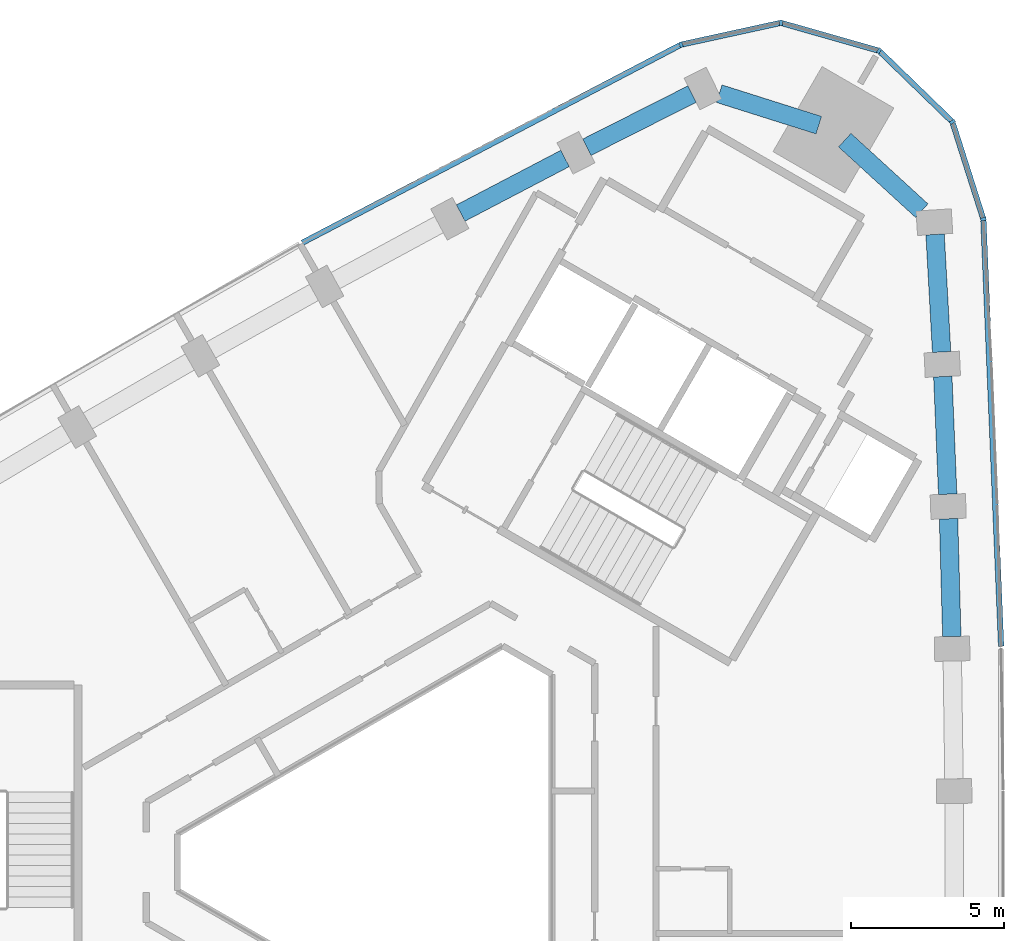
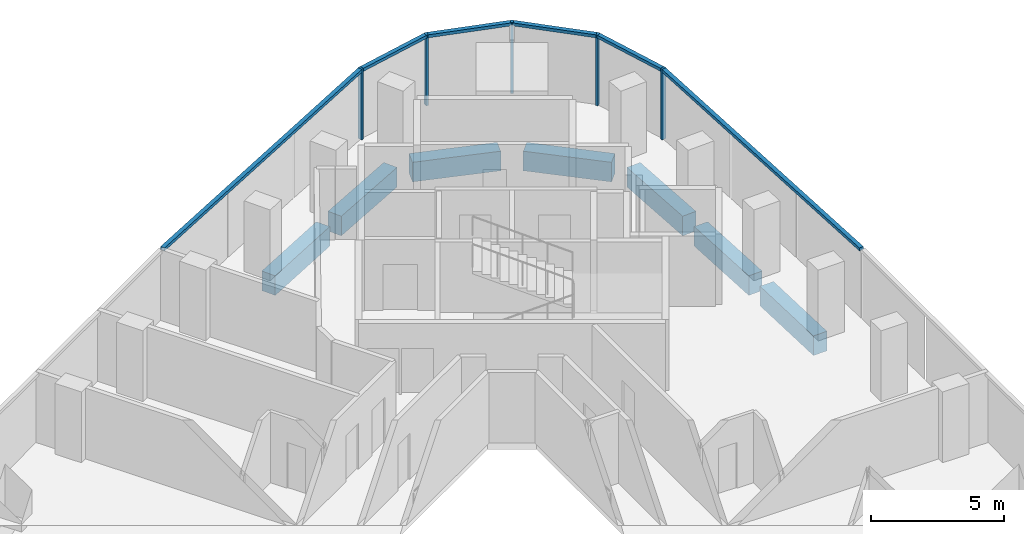
# One storey, part 5 of 12: 11 members, 7 beams, 2 elements without a shape of their own.
"""IFC4 building model written with IfcOpenShell, lengths in metres."""

from ifc_helpers import new_model, si_unit, direction, frame, origin, origin_2d, place, context, subcontext, project, spatial, rectangle, extrude, material, material_profile, profile_set, type_object, element, aggregate, save


model = new_model("IFC4")

# Units and contexts
model_context = context("Model", 3, precision=1e-05, world=origin(), true_north=direction((0.0, 1.0)))
body_context = subcontext(model_context, "Body", "Model", "MODEL_VIEW")
ifc_project = project(units=[si_unit("LENGTHUNIT", "METRE"), si_unit("AREAUNIT", "SQUARE_METRE"), si_unit("VOLUMEUNIT", "CUBIC_METRE"), si_unit("PLANEANGLEUNIT", "RADIAN"), si_unit("MASSUNIT", "GRAM", prefix="KILO")], contexts=[model_context])

# Site, building, storey
site_placement = place(None, origin())
site = spatial("IfcSite", under=ifc_project, at=site_placement, CompositionType="ELEMENT")
building_placement = place(site_placement, origin())
building = spatial("IfcBuilding", under=site, at=building_placement, Name="Tamra Quay Hotel Tower", CompositionType="ELEMENT")
storey_placement = place(building_placement, frame((0.0, 0.0, 179.199951171875)))
storey = spatial("IfcBuildingStorey", under=building, at=storey_placement, Name="L44", CompositionType="ELEMENT", Elevation=179.199951171875)

# Curtain wall, members
ifc_material_1 = material(Name="Aluminium 6063 anodised dark grey", Category="aluminium")
curtain_wall_type_1 = type_object("IfcCurtainWallType", Name="CW1 CURTAIN WALL", PredefinedType="NOTDEFINED", material=ifc_material_1)
curtain_wall_1_placement = place(storey_placement, origin())
curtain_wall_1 = element("IfcCurtainWall", 1, at=curtain_wall_1_placement, inside=storey, type_object=curtain_wall_type_1, Name="CW1 east face L44", PredefinedType="NOTDEFINED")
ifc_material_profile_1 = material_profile(ifc_material_1, rectangle(XDim=0.179931640625, YDim=0.10009765625, at=origin_2d()), Name="MULLION 100X180")
ifc_profile_set_1 = profile_set([ifc_material_profile_1], Name="Aluminium 6063 anodised dark grey")
member_type_1 = type_object("IfcMemberType", Name="MULLION CW1 Z4", PredefinedType="MULLION", material=ifc_profile_set_1)
member_1_placement = place(storey_placement, frame((18.665283203125, 20.955078125, 0.0), z_axis=(0.0, 0.0, 1.0), x_axis=(0.983509429279, 0.180856856435, 0.0)))
member_1 = element("IfcMember", 2, at=member_1_placement, type_object=member_type_1, Name="CW1 mullion L44.E.10", PredefinedType="MULLION", context=body_context, shape_type="SweptSolid", body=[
    extrude(rectangle(XDim=0.179931640625, YDim=0.10009765625, at=origin_2d()), origin(), (0.0, 0.0, 1.0), 3.25),
])
member_2_placement = place(storey_placement, frame((17.65576171875, 24.1259765625, 0.0), z_axis=(0.0, 0.0, 1.0), x_axis=(0.85012217174, 0.526585504089, 0.0)))
member_2 = element("IfcMember", 3, at=member_2_placement, type_object=member_type_1, Name="CW1 mullion L44.E.11", PredefinedType="MULLION", context=body_context, shape_type="SweptSolid", body=[
    extrude(rectangle(XDim=0.179931640625, YDim=0.10009765625, at=origin_2d()), origin(), (0.0, 0.0, 1.0), 3.25),
])
member_3_placement = place(storey_placement, frame((15.2666015625, 26.4423828125, 0.0), z_axis=(0.0, 0.0, 1.0), x_axis=(0.5, 0.866025403784, 0.0)))
member_3 = element("IfcMember", 4, at=member_3_placement, type_object=member_type_1, Name="CW1 mullion L44.E.12", PredefinedType="MULLION", context=body_context, shape_type="SweptSolid", body=[
    extrude(rectangle(XDim=0.179931640625, YDim=0.10009765625, at=origin_2d()), origin(), (0.0, 0.0, 1.0), 3.25),
])
member_4_placement = place(storey_placement, frame((12.06591796875, 27.353271484375, 0.0), z_axis=(0.0, 0.0, 1.0), x_axis=(0.030975337936, 0.999520149091, 0.0)))
member_4 = element("IfcMember", 5, at=member_4_placement, type_object=member_type_1, Name="CW1 mullion L44.E.13", PredefinedType="MULLION", context=body_context, shape_type="SweptSolid", body=[
    extrude(rectangle(XDim=0.179931640625, YDim=0.10009765625, at=origin_2d()), origin(), (0.0, 0.0, 1.0), 3.25),
])

# Curtain wall, member
curtain_wall_type_2 = type_object("IfcCurtainWallType", Name="CW2 CURTAIN WALL", PredefinedType="NOTDEFINED", material=ifc_material_1)
curtain_wall_2_placement = place(storey_placement, origin())
curtain_wall_2 = element("IfcCurtainWall", 6, at=curtain_wall_2_placement, inside=storey, type_object=curtain_wall_type_2, Name="CW2 north-west face L44", PredefinedType="NOTDEFINED")
ifc_material_profile_2 = material_profile(ifc_material_1, rectangle(XDim=0.179931640625, YDim=0.10009765625, at=origin_2d()), Name="MULLION 100X180")
ifc_profile_set_2 = profile_set([ifc_material_profile_2], Name="Aluminium 6063 anodised dark grey")
member_type_2 = type_object("IfcMemberType", Name="MULLION CW2 Z4", PredefinedType="MULLION", material=ifc_profile_set_2)
member_5_placement = place(storey_placement, frame((8.81494140625, 26.642333984375, 0.0), z_axis=(0.0, 0.0, 1.0), x_axis=(-0.335128082518, 0.942172578834, 0.0)))
member_5 = element("IfcMember", 7, at=member_5_placement, type_object=member_type_2, Name="CW2 mullion L44.NW.1", PredefinedType="MULLION", context=body_context, shape_type="SweptSolid", body=[
    extrude(rectangle(XDim=0.179931640625, YDim=0.10009765625, at=origin_2d()), origin(), (0.0, 0.0, 1.0), 3.25),
])

# Beams
ifc_material_2 = material(Name="Concrete M60", Category="concrete")
ifc_material_profile_3 = material_profile(ifc_material_2, rectangle(XDim=0.60009765625, YDim=0.89990234375, at=origin_2d()), Name="SPANDREL BEAM RC 600x900")
ifc_profile_set_3 = profile_set([ifc_material_profile_3], Name="Concrete M60")
beam_type = type_object("IfcBeamType", Name="SPANDREL BEAM RC 600x900", PredefinedType="SPANDREL", material=ifc_profile_set_3)
beam_1_placement = place(storey_placement, frame((17.636962890625, 7.355712890625, -0.800048828125), z_axis=(-0.02773528523, 0.999615302981, 0.0), x_axis=(-0.999615302981, -0.02773528523, 0.0)))
element("IfcBeam", 8, at=beam_1_placement, inside=storey, type_object=beam_type, Name="BM-SP4-006-L44", PredefinedType="SPANDREL", context=body_context, shape_type="SweptSolid", body=[
    extrude(rectangle(XDim=0.60009765625, YDim=0.89990234375, at=origin_2d()), origin(), (0.0, 0.0, 1.0), 3.837890625),
])
beam_2_placement = place(storey_placement, frame((17.502685546875, 11.99169921875, -0.800048828125), z_axis=(-0.041609373826, 0.999133954988, 0.0), x_axis=(-0.999133954988, -0.041609373826, 0.0)))
element("IfcBeam", 9, at=beam_2_placement, inside=storey, type_object=beam_type, Name="BM-SP4-007-L44", PredefinedType="SPANDREL", context=body_context, shape_type="SweptSolid", body=[
    extrude(rectangle(XDim=0.60009765625, YDim=0.89990234375, at=origin_2d()), origin(), (0.0, 0.0, 1.0), 3.83740234375),
])
beam_3_placement = place(storey_placement, frame((17.30419921875, 16.625, -0.800048828125), z_axis=(-0.055346700292, 0.99846719664, 0.0), x_axis=(-0.99846719664, -0.055346700292, 0.0)))
element("IfcBeam", 10, at=beam_3_placement, inside=storey, type_object=beam_type, Name="BM-SP4-008-L44", PredefinedType="SPANDREL", context=body_context, shape_type="SweptSolid", body=[
    extrude(rectangle(XDim=0.60009765625, YDim=0.89990234375, at=origin_2d()), origin(), (0.0, 0.0, 1.0), 3.837646484375),
])
beam_4_placement = place(storey_placement, frame((16.659423828125, 21.2314453125, -0.800048828125), z_axis=(-0.737716497183, 0.675110635218, 0.0), x_axis=(-0.675110635218, -0.737716497183, 0.0)))
element("IfcBeam", 11, at=beam_4_placement, inside=storey, type_object=beam_type, Name="BM-SP4-009-L44", PredefinedType="SPANDREL", context=body_context, shape_type="SweptSolid", body=[
    extrude(rectangle(XDim=0.60009765625, YDim=0.89990234375, at=origin_2d()), origin(), (0.0, 0.0, 1.0), 3.404296875),
])
beam_5_placement = place(storey_placement, frame((13.302978515625, 24.017333984375, -0.800048828125), z_axis=(-0.953502415748, 0.301385373174, 0.0), x_axis=(-0.301385373174, -0.953502415748, 0.0)))
element("IfcBeam", 12, at=beam_5_placement, inside=storey, type_object=beam_type, Name="BM-SP4-010-L44", PredefinedType="SPANDREL", context=body_context, shape_type="SweptSolid", body=[
    extrude(rectangle(XDim=0.60009765625, YDim=0.89990234375, at=origin_2d()), origin(), (0.0, 0.0, 1.0), 3.40380859375),
])
beam_6_placement = place(storey_placement, frame((9.170166015625, 25.030029296875, -0.800048828125), z_axis=(-0.892407883039, -0.451229620359, 0.0), x_axis=(0.451229620359, -0.892407883039, 0.0)))
element("IfcBeam", 13, at=beam_6_placement, inside=storey, type_object=beam_type, Name="BM-SP4-011-L44", PredefinedType="SPANDREL", context=body_context, shape_type="SweptSolid", body=[
    extrude(rectangle(XDim=0.60009765625, YDim=0.89990234375, at=origin_2d()), origin(), (0.0, 0.0, 1.0), 3.837646484375),
])
beam_7_placement = place(storey_placement, frame((5.033935546875, 22.9326171875, -0.800048828125), z_axis=(-0.886043134182, -0.463602808845, 0.0), x_axis=(0.463602808845, -0.886043134182, 0.0)))
element("IfcBeam", 14, at=beam_7_placement, inside=storey, type_object=beam_type, Name="BM-SP4-012-L44", PredefinedType="SPANDREL", context=body_context, shape_type="SweptSolid", body=[
    extrude(rectangle(XDim=0.60009765625, YDim=0.89990234375, at=origin_2d()), origin(), (0.0, 0.0, 1.0), 3.83740234375),
])

# Member
ifc_material_profile_4 = material_profile(ifc_material_1, rectangle(XDim=0.179931640625, YDim=0.139892578125, at=origin_2d()), Name="TRANSOM 180X140")
ifc_profile_set_4 = profile_set([ifc_material_profile_4], Name="Aluminium 6063 anodised dark grey")
member_type_3 = type_object("IfcMemberType", Name="TRANSOM CW1 Z4", PredefinedType="USERDEFINED", material=ifc_profile_set_4)
member_6_placement = place(storey_placement, frame((19.245361328125, 7.03955078125, 3.179931640625), z_axis=(-0.041588103727, 0.999134840564, 0.0), x_axis=(-0.999134840564, -0.041588103727, 0.0)))
member_6 = element("IfcMember", 15, at=member_6_placement, type_object=member_type_3, Name="CW1 transom L44.E.7", ObjectType="TRANSOM", PredefinedType="USERDEFINED", context=body_context, shape_type="SweptSolid", body=[
    extrude(rectangle(XDim=0.179931640625, YDim=0.139892578125, at=origin_2d()), origin(), (0.0, 0.0, 1.0), 13.877685546875),
])

member_7_placement = place(storey_placement, frame((18.650146484375, 21.002685546875, 3.179931640625), z_axis=(-0.303378482034, 0.952870136293, 0.0), x_axis=(-0.952870136293, -0.303378482034, 0.0)))
member_7 = element("IfcMember", 16, at=member_7_placement, type_object=member_type_3, Name="CW1 transom L44.E.10", ObjectType="TRANSOM", PredefinedType="USERDEFINED", context=body_context, shape_type="SweptSolid", body=[
    extrude(rectangle(XDim=0.179931640625, YDim=0.139892578125, at=origin_2d()), origin(), (0.0, 0.0, 1.0), 3.227783203125),
])

member_8_placement = place(storey_placement, frame((17.619873046875, 24.160888671875, 3.179931640625), z_axis=(-0.717989739808, 0.696053685811, 0.0), x_axis=(-0.696053685811, -0.717989739808, 0.0)))
member_8 = element("IfcMember", 17, at=member_8_placement, type_object=member_type_3, Name="CW1 transom L44.E.11", ObjectType="TRANSOM", PredefinedType="USERDEFINED", context=body_context, shape_type="SweptSolid", body=[
    extrude(rectangle(XDim=0.179931640625, YDim=0.139892578125, at=origin_2d()), origin(), (0.0, 0.0, 1.0), 3.2275390625),
])

member_9_placement = place(storey_placement, frame((15.218505859375, 26.4560546875, 3.179931640625), z_axis=(-0.961806009168, 0.273731987038, 0.0), x_axis=(-0.273731987038, -0.961806009168, 0.0)))
member_9 = element("IfcMember", 18, at=member_9_placement, type_object=member_type_3, Name="CW1 transom L44.E.12", ObjectType="TRANSOM", PredefinedType="USERDEFINED", context=body_context, shape_type="SweptSolid", body=[
    extrude(rectangle(XDim=0.179931640625, YDim=0.139892578125, at=origin_2d()), origin(), (0.0, 0.0, 1.0), 3.227783203125),
])

member_10_placement = place(storey_placement, frame((12.01708984375, 27.342529296875, 3.179931640625), z_axis=(-0.976905938147, -0.21366981072, 0.0), x_axis=(0.21366981072, -0.976905938147, 0.0)))
member_10 = element("IfcMember", 19, at=member_10_placement, type_object=member_type_3, Name="CW1 transom L44.E.13", ObjectType="TRANSOM", PredefinedType="USERDEFINED", context=body_context, shape_type="SweptSolid", body=[
    extrude(rectangle(XDim=0.179931640625, YDim=0.139892578125, at=origin_2d()), origin(), (0.0, 0.0, 1.0), 3.227783203125),
])

aggregate(curtain_wall_1, [member_6, member_1, member_7, member_2, member_8, member_3, member_9, member_4, member_10])

ifc_material_profile_5 = material_profile(ifc_material_1, rectangle(XDim=0.179931640625, YDim=0.139892578125, at=origin_2d()), Name="TRANSOM 180X140")
ifc_profile_set_5 = profile_set([ifc_material_profile_5], Name="Aluminium 6063 anodised dark grey")
member_type_4 = type_object("IfcMemberType", Name="TRANSOM CW2 Z4", PredefinedType="USERDEFINED", material=ifc_profile_set_5)
member_11_placement = place(storey_placement, frame((8.770263671875, 26.61962890625, 3.179931640625), z_axis=(-0.886075202027, -0.463541515242, 0.0), x_axis=(0.463541515242, -0.886075202027, 0.0)))
member_11 = element("IfcMember", 20, at=member_11_placement, type_object=member_type_4, Name="CW2 transom L44.NW.1", ObjectType="TRANSOM", PredefinedType="USERDEFINED", context=body_context, shape_type="SweptSolid", body=[
    extrude(rectangle(XDim=0.179931640625, YDim=0.139892578125, at=origin_2d()), origin(), (0.0, 0.0, 1.0), 13.877685546875),
])

aggregate(curtain_wall_2, [member_5, member_11])

save(model, "model.ifc")
